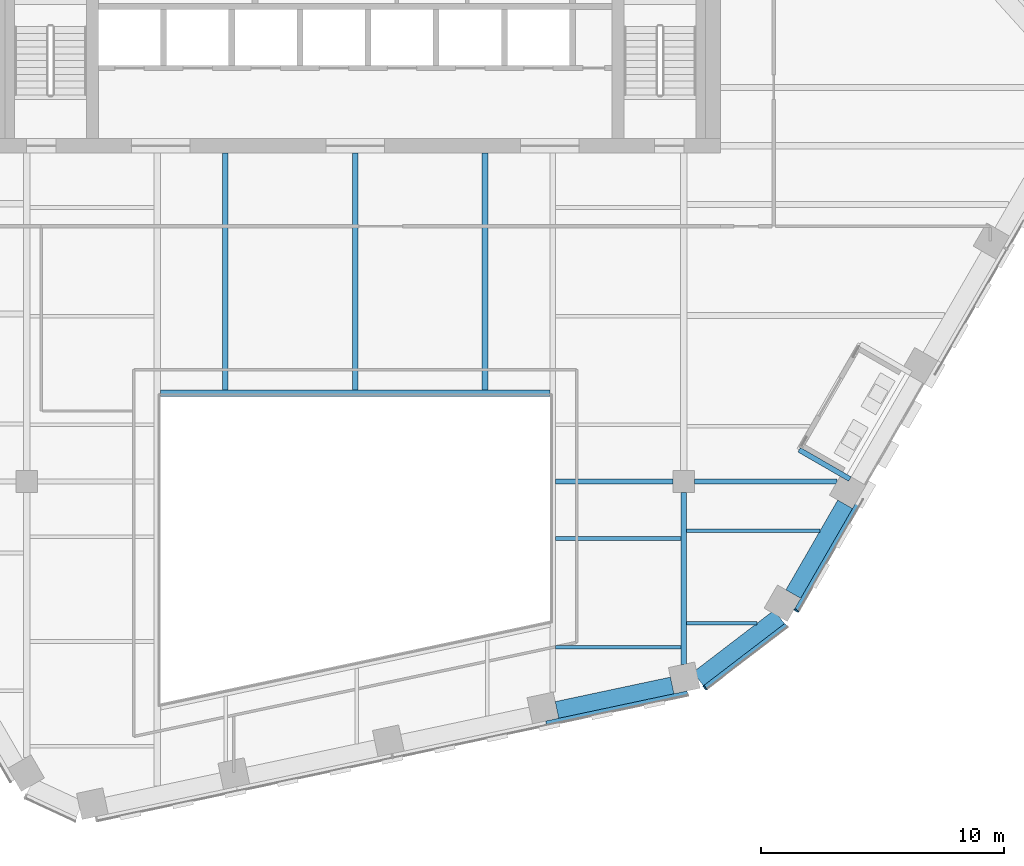
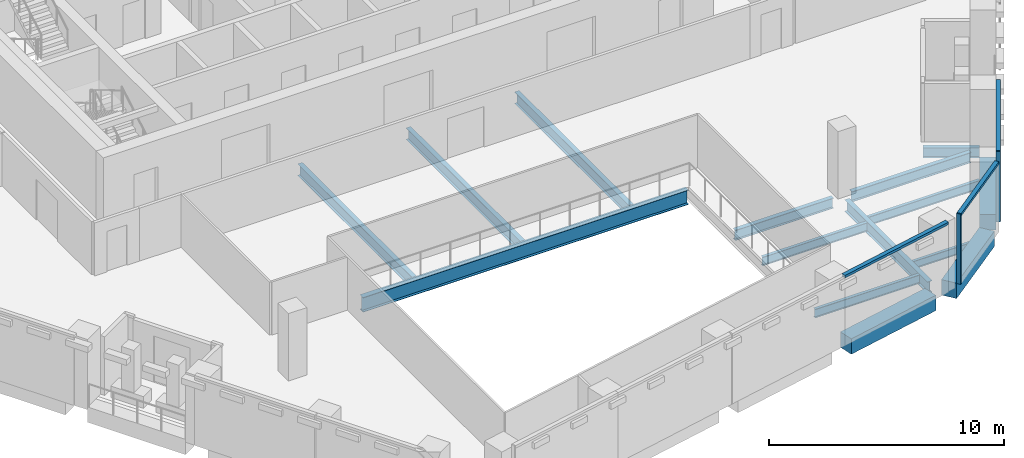
# One storey, part 4 of 24: 15 beams, 5 members, 3 elements without a shape of their own.
"""IFC4 building model written with IfcOpenShell, lengths in metres."""

from ifc_helpers import new_model, si_unit, direction, frame, origin, origin_2d, place, context, subcontext, project, spatial, rectangle, i_section, extrude, material, layer, layer_set, material_profile, profile_set, type_object, element, aggregate, save


model = new_model("IFC4")

# Units and contexts
model_context = context("Model", 3, precision=1e-05, world=origin(), true_north=direction((0.0, 1.0)))
body_context = subcontext(model_context, "Body", "Model", "MODEL_VIEW")
ifc_project = project(units=[si_unit("LENGTHUNIT", "METRE"), si_unit("AREAUNIT", "SQUARE_METRE"), si_unit("VOLUMEUNIT", "CUBIC_METRE"), si_unit("PLANEANGLEUNIT", "RADIAN"), si_unit("MASSUNIT", "GRAM", prefix="KILO")], contexts=[model_context])

# Site, building, storey
site_placement = place(None, origin())
site = spatial("IfcSite", under=ifc_project, at=site_placement, CompositionType="ELEMENT")
building_placement = place(site_placement, origin())
building = spatial("IfcBuilding", under=site, at=building_placement, Name="Isthmus Gate Tower", CompositionType="ELEMENT")
storey_placement = place(building_placement, frame((0.0, 0.0, 234.550048828125)))
storey = spatial("IfcBuildingStorey", under=building, at=storey_placement, Name="L59", CompositionType="ELEMENT", Elevation=234.550048828125)

# Curtain wall, member
ifc_material_1 = material(Name="Aluminium, pale champagne anodised", Category="aluminium")
ifc_layer = layer(ifc_material_1, 0.199951171875)
ifc_layer_set = layer_set([ifc_layer], Name="CW-1 UNITISED CURTAIN WALL 200 DEEP")
curtain_wall_type = type_object("IfcCurtainWallType", Name="CW-1 UNITISED CURTAIN WALL 200 DEEP", PredefinedType="NOTDEFINED", material=ifc_layer_set)
curtain_wall_1_placement = place(storey_placement, origin())
curtain_wall_1 = element("IfcCurtainWall", 1, at=curtain_wall_1_placement, inside=storey, type_object=curtain_wall_type, Name="CW-1 S-SE L59", PredefinedType="NOTDEFINED")
ifc_material_2 = material(Name="Aluminium, pale champagne anodised", Category="aluminium")
ifc_material_profile_1 = material_profile(ifc_material_2, rectangle(XDim=0.06005859375, YDim=0.199951171875, at=origin_2d()), Name="60x200")
ifc_profile_set_1 = profile_set([ifc_material_profile_1], Name="Aluminium, pale champagne anodised")
member_type_1 = type_object("IfcMemberType", Name="CW-1 MULLION 60 X 200", PredefinedType="MULLION", material=ifc_profile_set_1)
member_1_placement = place(storey_placement, frame((14.3720703125, -21.961669921875, 0.0), z_axis=(0.0, 0.0, 1.0), x_axis=(0.794188594387, 0.607671355706, 0.0)))
member_1 = element("IfcMember", 2, at=member_1_placement, type_object=member_type_1, Name="CW-1 mullion", PredefinedType="MULLION", context=body_context, shape_type="SweptSolid", body=[
    extrude(rectangle(XDim=0.06005859375, YDim=0.199951171875, at=origin_2d()), origin(), (0.0, 0.0, 1.0), 3.64990234375),
])

curtain_wall_2_placement = place(storey_placement, origin())
curtain_wall_2 = element("IfcCurtainWall", 3, at=curtain_wall_2_placement, inside=storey, type_object=curtain_wall_type, Name="CW-1 SE L59", PredefinedType="NOTDEFINED")
member_2_placement = place(storey_placement, frame((18.131591796875, -18.794921875, 0.0), z_axis=(0.0, 0.0, 1.0), x_axis=(0.5, 0.866025403784, 0.0)))
member_2 = element("IfcMember", 4, at=member_2_placement, type_object=member_type_1, Name="CW-1 mullion", PredefinedType="MULLION", context=body_context, shape_type="SweptSolid", body=[
    extrude(rectangle(XDim=0.06005859375, YDim=0.199951171875, at=origin_2d()), origin(), (0.0, 0.0, 1.0), 3.64990234375),
])

curtain_wall_3_placement = place(storey_placement, origin())
curtain_wall_3 = element("IfcCurtainWall", 5, at=curtain_wall_3_placement, inside=storey, type_object=curtain_wall_type, Name="CW-1 S L59", PredefinedType="NOTDEFINED")
ifc_material_3 = material(Name="Aluminium, pale champagne anodised", Category="aluminium")
ifc_material_profile_2 = material_profile(ifc_material_3, rectangle(XDim=0.199951171875, YDim=0.1298828125, at=origin_2d()), Name="200x130")
ifc_profile_set_2 = profile_set([ifc_material_profile_2], Name="Aluminium, pale champagne anodised")
member_type_2 = type_object("IfcMemberType", Name="CW-1 TRANSOM 200 X 130", PredefinedType="USERDEFINED", material=ifc_profile_set_2)
member_3_placement = place(storey_placement, frame((7.844970703125, -23.434814453125, 3.5849609375), z_axis=(0.978148616043, 0.207906914105, 0.0), x_axis=(-0.207906914105, 0.978148616043, 0.0)))
member_3 = element("IfcMember", 6, at=member_3_placement, type_object=member_type_2, Name="CW-1 transom", ObjectType="TRANSOM", PredefinedType="USERDEFINED", context=body_context, shape_type="SweptSolid", body=[
    extrude(rectangle(XDim=0.199951171875, YDim=0.1298828125, at=origin_2d()), origin(), (0.0, 0.0, 1.0), 5.94189453125),
])
aggregate(curtain_wall_3, [member_3])

# Member
member_4_placement = place(storey_placement, frame((14.39599609375, -21.943603515625, 3.5849609375), z_axis=(0.794175498212, 0.607688471209, 0.0), x_axis=(-0.607688471209, 0.794175498212, 0.0)))
member_4 = element("IfcMember", 7, at=member_4_placement, type_object=member_type_2, Name="CW-1 transom", ObjectType="TRANSOM", PredefinedType="USERDEFINED", context=body_context, shape_type="SweptSolid", body=[
    extrude(rectangle(XDim=0.199951171875, YDim=0.1298828125, at=origin_2d()), origin(), (0.0, 0.0, 1.0), 4.181396484375),
])

aggregate(curtain_wall_1, [member_1, member_4])

member_5_placement = place(storey_placement, frame((18.146728515625, -18.76904296875, 3.5849609375), z_axis=(0.499968318869, 0.866043694121, 0.0), x_axis=(-0.866043694121, 0.499968318869, 0.0)))
member_5 = element("IfcMember", 8, at=member_5_placement, type_object=member_type_2, Name="CW-1 transom", ObjectType="TRANSOM", PredefinedType="USERDEFINED", context=body_context, shape_type="SweptSolid", body=[
    extrude(rectangle(XDim=0.199951171875, YDim=0.1298828125, at=origin_2d()), origin(), (0.0, 0.0, 1.0), 5.300537109375),
])

aggregate(curtain_wall_2, [member_2, member_5])

# Beams
ifc_material_4 = material(Name="Concrete f'c 50 MPa", Category="concrete")
ifc_material_profile_3 = material_profile(ifc_material_4, rectangle(XDim=0.699951171875, YDim=0.800048828125, at=origin_2d()), Name="RC 700X800")
ifc_profile_set_3 = profile_set([ifc_material_profile_3], Name="Concrete f'c 50 MPa")
beam_type_1 = type_object("IfcBeamType", Name="RC SPANDREL 700 X 800", PredefinedType="SPANDREL", material=ifc_profile_set_3)
beam_1_placement = place(storey_placement, frame((20.13232421875, -14.429931640625, -0.400146484375), z_axis=(-0.500021719575, -0.866012863619, 0.0), x_axis=(0.866012863619, -0.500021719575, 0.0)))
element("IfcBeam", 9, at=beam_1_placement, inside=storey, type_object=beam_type_1, Name="str-spandrel-L59-09", PredefinedType="SPANDREL", context=body_context, shape_type="SweptSolid", body=[
    extrude(rectangle(XDim=0.699951171875, YDim=0.800048828125, at=origin_2d()), origin(), (0.0, 0.0, 1.0), 4.260498046875),
])
beam_2_placement = place(storey_placement, frame((17.4267578125, -19.057861328125, -0.400146484375), z_axis=(-0.794182771845, -0.60767896533, 0.0), x_axis=(0.60767896533, -0.794182771845, 0.0)))
element("IfcBeam", 10, at=beam_2_placement, inside=storey, type_object=beam_type_1, Name="str-spandrel-L59-10", PredefinedType="SPANDREL", context=body_context, shape_type="SweptSolid", body=[
    extrude(rectangle(XDim=0.699951171875, YDim=0.800048828125, at=origin_2d()), origin(), (0.0, 0.0, 1.0), 4.19677734375),
])
beam_3_placement = place(storey_placement, frame((13.025390625, -21.87353515625, -0.400146484375), z_axis=(-0.978151545833, -0.207893129722, 0.0), x_axis=(0.207893129722, -0.978151545833, 0.0)))
element("IfcBeam", 11, at=beam_3_placement, inside=storey, type_object=beam_type_1, Name="str-spandrel-L59-11", PredefinedType="SPANDREL", context=body_context, shape_type="SweptSolid", body=[
    extrude(rectangle(XDim=0.699951171875, YDim=0.800048828125, at=origin_2d()), origin(), (0.0, 0.0, 1.0), 4.841796875),
])
ifc_material_5 = material(Name="Structural steel ASTM A992 Gr 50", Category="steel")
ifc_material_profile_4 = material_profile(ifc_material_5, i_section(OverallWidth=0.1396484375, OverallDepth=0.4033203125, WebThickness=0.00634765625, FlangeThickness=0.010986328125, at=origin_2d()), Name="W16X31")
ifc_profile_set_4 = profile_set([ifc_material_profile_4], Name="Structural steel ASTM A992 Gr 50")
beam_type_2 = type_object("IfcBeamType", Name="STEEL FLOOR BEAM W16X31", PredefinedType="JOIST", material=ifc_profile_set_4)
beam_4_placement = place(storey_placement, frame((13.6142578125, -19.322998046875, -0.3515625), z_axis=(1.0, 0.0, 0.0), x_axis=(0.0, 1.0, 0.0)))
element("IfcBeam", 12, at=beam_4_placement, inside=storey, type_object=beam_type_2, Name="str-beam-L59-15-00", PredefinedType="JOIST", context=body_context, shape_type="SweptSolid", body=[
    extrude(i_section(OverallWidth=0.1396484375, OverallDepth=0.4033203125, WebThickness=0.00634765625, FlangeThickness=0.010986328125, at=origin_2d()), origin(), (0.0, 0.0, 1.0), 2.889892578125),
])
ifc_material_6 = material(Name="Structural steel ASTM A992 Gr 50", Category="steel")
ifc_material_profile_5 = material_profile(ifc_material_6, i_section(OverallWidth=0.15234375, OverallDepth=0.45068359375, WebThickness=0.0078125, FlangeThickness=0.010986328125, at=origin_2d()), Name="W18X35")
ifc_profile_set_5 = profile_set([ifc_material_profile_5], Name="Structural steel ASTM A992 Gr 50")
beam_type_3 = type_object("IfcBeamType", Name="STEEL FLOOR BEAM W18X35", PredefinedType="JOIST", material=ifc_profile_set_5)
for number, where, z_axis, x_axis, name in (
    (13, (8.228515625, -20.3046875, -0.37548828125), (1.0, 0.0, 0.0), (0.0, 1.0, 0.0), "str-beam-L59-12-00"),
    (14, (8.228515625, -15.838134765625, -0.37548828125), (1.0, 0.0, 0.0), (0.0, 1.0, 0.0), "str-beam-L59-12-01"),
):
    element("IfcBeam", number, at=place(storey_placement, frame(where, z_axis=z_axis, x_axis=x_axis)), inside=storey, type_object=beam_type_3, Name=name, PredefinedType="JOIST", context=body_context, shape_type="SweptSolid", body=[
        extrude(i_section(OverallWidth=0.15234375, OverallDepth=0.45068359375, WebThickness=0.0078125, FlangeThickness=0.010986328125, at=origin_2d()), origin(), (0.0, 0.0, 1.0), 5.1572265625),
    ])
beam_5_placement = place(storey_placement, frame((13.6142578125, -15.5107421875, -0.37548828125), z_axis=(1.0, 0.0, 0.0), x_axis=(0.0, 1.0, 0.0)))
element("IfcBeam", 15, at=beam_5_placement, inside=storey, type_object=beam_type_3, Name="str-beam-L59-15-01", PredefinedType="JOIST", context=body_context, shape_type="SweptSolid", body=[
    extrude(i_section(OverallWidth=0.15234375, OverallDepth=0.45068359375, WebThickness=0.0078125, FlangeThickness=0.010986328125, at=origin_2d()), origin(), (0.0, 0.0, 1.0), 5.48974609375),
])
ifc_material_7 = material(Name="Structural steel ASTM A992 Gr 50", Category="steel")
ifc_material_profile_6 = material_profile(ifc_material_7, i_section(OverallWidth=0.228515625, OverallDepth=0.603271484375, WebThickness=0.010986328125, FlangeThickness=0.014404296875, at=origin_2d()), Name="W24X68")
ifc_profile_set_6 = profile_set([ifc_material_profile_6], Name="Structural steel ASTM A992 Gr 50")
beam_type_4 = type_object("IfcBeamType", Name="STEEL FLOOR BEAM W24X68", PredefinedType="JOIST", material=ifc_profile_set_6)
for number, where, z_axis, x_axis, name in (
    (16, (-5.333251953125, -9.7333984375, -0.45166015625), (0.0, 1.0, 0.0), (-1.0, 0.0, 0.0), "str-beam-L59-10-00"),
    (17, (0.0, -9.7333984375, -0.45166015625), (0.0, 1.0, 0.0), (-1.0, 0.0, 0.0), "str-beam-L59-10-01"),
    (18, (5.333251953125, -9.7333984375, -0.45166015625), (0.0, 1.0, 0.0), (-1.0, 0.0, 0.0), "str-beam-L59-10-02"),
):
    element("IfcBeam", number, at=place(storey_placement, frame(where, z_axis=z_axis, x_axis=x_axis)), inside=storey, type_object=beam_type_4, Name=name, PredefinedType="JOIST", context=body_context, shape_type="SweptSolid", body=[
        extrude(i_section(OverallWidth=0.228515625, OverallDepth=0.603271484375, WebThickness=0.010986328125, FlangeThickness=0.014404296875, at=origin_2d()), origin(), (0.0, 0.0, 1.0), 9.7333984375),
    ])
ifc_material_8 = material(Name="Structural steel ASTM A992 Gr 50", Category="steel")
ifc_material_profile_7 = material_profile(ifc_material_8, i_section(OverallWidth=0.20947265625, OverallDepth=0.533447265625, WebThickness=0.009521484375, FlangeThickness=0.015869140625, at=origin_2d()), Name="W21X62")
ifc_profile_set_7 = profile_set([ifc_material_profile_7], Name="Structural steel ASTM A992 Gr 50")
beam_type_5 = type_object("IfcBeamType", Name="STEEL GIRDER W21X62", PredefinedType="BEAM", material=ifc_profile_set_7)
beam_6_placement = place(storey_placement, frame((8.228515625, -13.5, -0.416748046875), z_axis=(1.0, 0.0, 0.0), x_axis=(0.0, 1.0, 0.0)))
element("IfcBeam", 19, at=beam_6_placement, inside=storey, type_object=beam_type_5, Name="str-girder-L59-03", PredefinedType="BEAM", context=body_context, shape_type="SweptSolid", body=[
    extrude(i_section(OverallWidth=0.20947265625, OverallDepth=0.533447265625, WebThickness=0.009521484375, FlangeThickness=0.015869140625, at=origin_2d()), origin(), (0.0, 0.0, 1.0), 4.821533203125),
])
beam_7_placement = place(storey_placement, frame((13.949951171875, -13.5, -0.416748046875), z_axis=(1.0, 0.0, 0.0), x_axis=(0.0, 1.0, 0.0)))
element("IfcBeam", 20, at=beam_7_placement, inside=storey, type_object=beam_type_5, Name="str-girder-L59-04", PredefinedType="BEAM", context=body_context, shape_type="SweptSolid", body=[
    extrude(i_section(OverallWidth=0.20947265625, OverallDepth=0.533447265625, WebThickness=0.009521484375, FlangeThickness=0.015869140625, at=origin_2d()), origin(), (0.0, 0.0, 1.0), 5.853271484375),
])
ifc_material_9 = material(Name="Structural steel ASTM A992 Gr 50", Category="steel")
ifc_material_profile_8 = material_profile(ifc_material_9, i_section(OverallWidth=0.228515625, OverallDepth=0.603271484375, WebThickness=0.010986328125, FlangeThickness=0.014404296875, at=origin_2d()), Name="W24X68")
ifc_profile_set_8 = profile_set([ifc_material_profile_8], Name="Structural steel ASTM A992 Gr 50")
beam_type_6 = type_object("IfcBeamType", Name="STEEL GIRDER W24X68", PredefinedType="BEAM", material=ifc_profile_set_8)
beam_8_placement = place(storey_placement, frame((13.5, -21.005859375, -0.45166015625), z_axis=(0.0, 1.0, 0.0), x_axis=(-1.0, 0.0, 0.0)))
element("IfcBeam", 21, at=beam_8_placement, inside=storey, type_object=beam_type_6, Name="str-girder-L59-07", PredefinedType="BEAM", context=body_context, shape_type="SweptSolid", body=[
    extrude(i_section(OverallWidth=0.228515625, OverallDepth=0.603271484375, WebThickness=0.010986328125, FlangeThickness=0.014404296875, at=origin_2d()), origin(), (0.0, 0.0, 1.0), 7.055908203125),
])
ifc_material_10 = material(Name="Structural steel ASTM A992 Gr 50", Category="steel")
ifc_material_profile_9 = material_profile(ifc_material_10, i_section(OverallWidth=0.20947265625, OverallDepth=0.533447265625, WebThickness=0.009521484375, FlangeThickness=0.015869140625, at=origin_2d()), Name="W21X62")
ifc_profile_set_9 = profile_set([ifc_material_profile_9], Name="Structural steel ASTM A992 Gr 50")
beam_type_7 = type_object("IfcBeamType", Name="STEEL TRIMMER W21X62", PredefinedType="BEAM", material=ifc_profile_set_9)
beam_9_placement = place(storey_placement, frame((20.326904296875, -13.39306640625, -0.416748046875), z_axis=(-0.866041894065, 0.499971436909, 0.0), x_axis=(-0.499971436909, -0.866041894065, 0.0)))
element("IfcBeam", 22, at=beam_9_placement, inside=storey, type_object=beam_type_7, Name="str-loggiatrim-L59-04-A", PredefinedType="BEAM", context=body_context, shape_type="SweptSolid", body=[
    extrude(i_section(OverallWidth=0.20947265625, OverallDepth=0.533447265625, WebThickness=0.009521484375, FlangeThickness=0.015869140625, at=origin_2d()), origin(), (0.0, 0.0, 1.0), 2.405029296875),
])
ifc_material_11 = material(Name="Structural steel ASTM A992 Gr 50", Category="steel")
ifc_material_profile_10 = material_profile(ifc_material_11, i_section(OverallWidth=0.2666015625, OverallDepth=0.7587890625, WebThickness=0.014404296875, FlangeThickness=0.01904296875, at=origin_2d()), Name="W30X108")
ifc_profile_set_10 = profile_set([ifc_material_profile_10], Name="Structural steel ASTM A992 Gr 50")
beam_type_8 = type_object("IfcBeamType", Name="STEEL TRIMMER W30X108", PredefinedType="BEAM", material=ifc_profile_set_10)
beam_10_placement = place(storey_placement, frame((8.0, -9.86669921875, -0.529541015625), z_axis=(-1.0, 0.0, 0.0), x_axis=(0.0, -1.0, 0.0)))
element("IfcBeam", 23, at=beam_10_placement, inside=storey, type_object=beam_type_8, Name="str-trimmer-L59-04", PredefinedType="BEAM", context=body_context, shape_type="SweptSolid", body=[
    extrude(i_section(OverallWidth=0.2666015625, OverallDepth=0.7587890625, WebThickness=0.014404296875, FlangeThickness=0.01904296875, at=origin_2d()), origin(), (0.0, 0.0, 1.0), 16.0),
])

save(model, "model.ifc")
